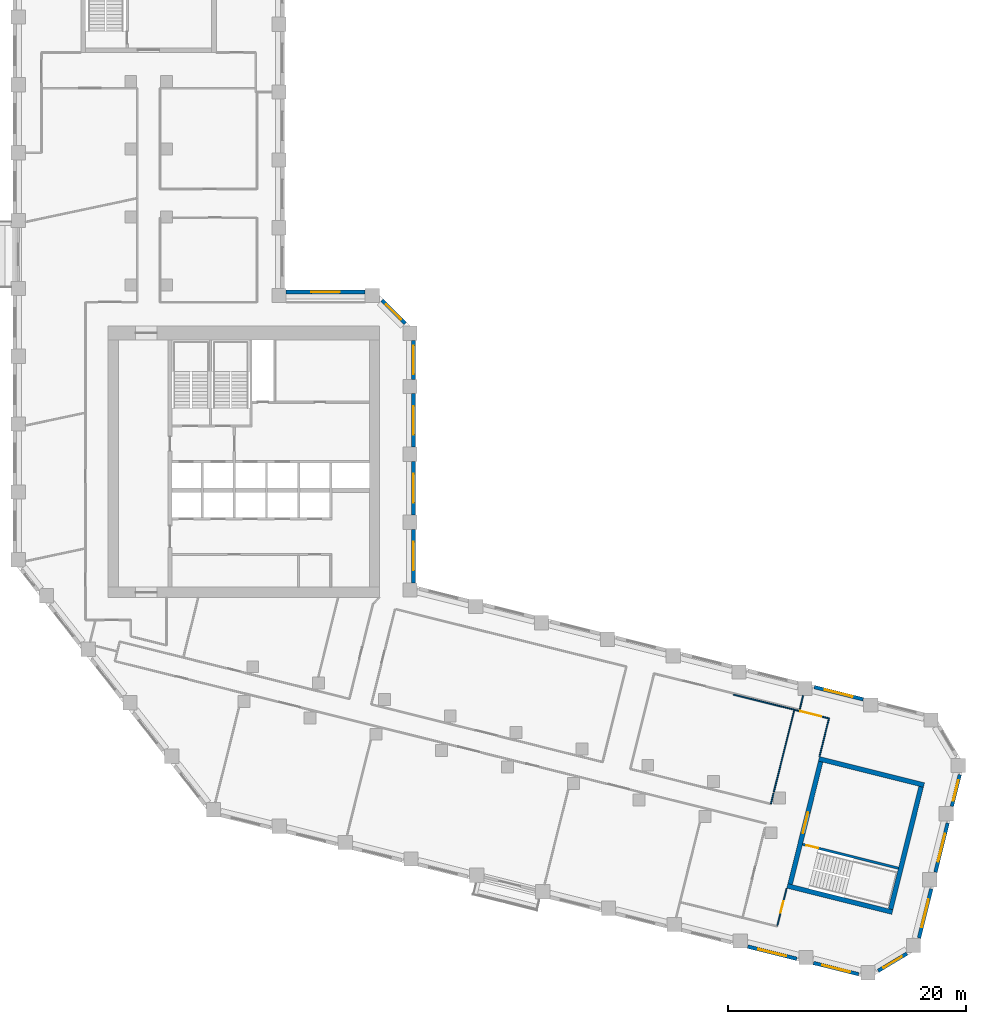
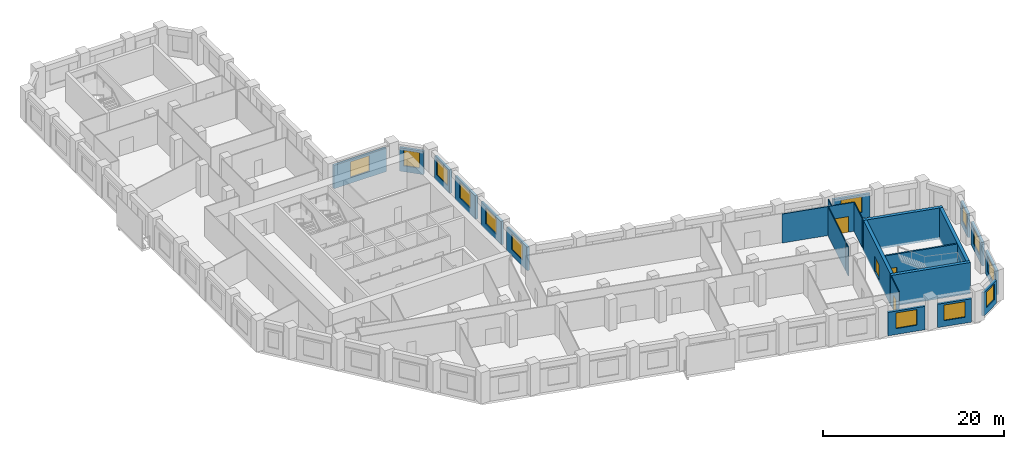
# One storey, part 6 of 10: 25 walls, 13 windows, 4 doors, 17 openings.
"""IFC4 building model written with IfcOpenShell, lengths in metres."""

from ifc_helpers import new_model, si_unit, direction, frame, frame_2d, origin, place, context, subcontext, project, spatial, rectangle, extrude, material, layer, layer_set, type_object, element, fill, save


model = new_model("IFC4")

# Units and contexts
model_context = context("Model", 3, precision=1e-05, world=origin(), true_north=direction((0.0, 1.0)))
body_context = subcontext(model_context, "Body", "Model", "MODEL_VIEW")
ifc_project = project(units=[si_unit("LENGTHUNIT", "METRE"), si_unit("AREAUNIT", "SQUARE_METRE"), si_unit("VOLUMEUNIT", "CUBIC_METRE"), si_unit("PLANEANGLEUNIT", "RADIAN"), si_unit("MASSUNIT", "GRAM", prefix="KILO")], contexts=[model_context])

# Site, building, storey
site_placement = place(None, origin())
site = spatial("IfcSite", under=ifc_project, at=site_placement, CompositionType="ELEMENT")
building_placement = place(site_placement, origin())
building = spatial("IfcBuilding", under=site, at=building_placement, Name="Meshkara Civic Tower", CompositionType="ELEMENT")
storey_placement = place(building_placement, frame((0.0, 0.0, 174.0)))
storey = spatial("IfcBuildingStorey", under=building, at=storey_placement, Name="L39", CompositionType="ELEMENT", Elevation=174.0)

# Wall
ifc_material_1 = material(Name="Corridor wall 100")
ifc_layer_1 = layer(ifc_material_1, 0.10009765625)
ifc_layer_set_1 = layer_set([ifc_layer_1], Name="Corridor wall 100")
wall_type_1 = type_object("IfcWallType", Name="Corridor wall 100", PredefinedType="PARTITIONING", material=ifc_layer_set_1)
wall_1_placement = place(storey_placement, frame((63.89501953125, -2.37109375, 0.0), z_axis=(0.0, 0.0, 1.0), x_axis=(-0.241969389514, -0.970283883478, 0.0)))
element("IfcWall", 1, at=wall_1_placement, inside=storey, type_object=wall_type_1, Name="L39-W037", PredefinedType="PARTITIONING", context=body_context, shape_type="SweptSolid", body=[
    extrude(rectangle(XDim=0.9130859375, YDim=0.10009765625, at=frame_2d((0.45654296875, 0.0))), origin(), (0.0, 0.0, 1.0), 3.89990234375),
])

# Wall, opening, door
wall_2_placement = place(storey_placement, frame((64.202880859375, -13.533935546875, 0.0), z_axis=(0.0, 0.0, 1.0), x_axis=(0.241856645367, 0.970311992656, 0.0)))
wall_2 = element("IfcWall", 2, at=wall_2_placement, inside=storey, type_object=wall_type_1, Name="L39-W038", PredefinedType="PARTITIONING", context=body_context, shape_type="SweptSolid", body=[
    extrude(rectangle(XDim=3.2998046875, YDim=0.10009765625, at=frame_2d((1.64990234375, 0.0))), origin(), (0.0, 0.0, 1.0), 3.89990234375),
])
opening_1_placement = place(wall_2_placement, frame((1.179931640625, 0.0, 0.0)))
opening_1 = element("IfcOpeningElement", 3, at=opening_1_placement, cuts=wall_2, Name="Opening L39-D002", PredefinedType="OPENING", context=body_context, shape_type="SweptSolid", body=[
    extrude(rectangle(XDim=1.0, YDim=2.10009765625, at=frame_2d((0.5, 1.050048828125))), frame((0.0, 0.06005859375, 0.0), z_axis=(0.0, -1.0, 0.0), x_axis=(1.0, 0.0, 0.0)), (0.0, 0.0, 1.0), 0.1201171875),
])
ifc_material_2 = material(Name="Door 1000 x 2100")
door_type_1 = type_object("IfcDoorType", Name="Door 1000 x 2100", OperationType="SINGLE_SWING_LEFT", PredefinedType="DOOR", material=ifc_material_2)
door_1_placement = place(opening_1_placement, origin())
door_1 = element("IfcDoor", 4, at=door_1_placement, inside=storey, type_object=door_type_1, Name="L39-D002", OperationType="SINGLE_SWING_LEFT", OverallHeight=2.10009765625, OverallWidth=1.0, PredefinedType="DOOR", context=body_context, shape_type="SweptSolid", body=[
    extrude(rectangle(XDim=1.0, YDim=2.10009765625, at=frame_2d((0.5, 1.050048828125))), frame((0.0, 0.02490234375, 0.0), z_axis=(0.0, -1.0, 0.0), x_axis=(1.0, 0.0, 0.0)), (0.0, 0.0, 1.0), 0.050048828125),
])
fill(opening_1, door_1)

# Walls
wall_3_placement = place(storey_placement, frame((65.64697265625, 4.656982421875, 0.0), z_axis=(0.0, 0.0, 1.0), x_axis=(-0.24192324031, -0.970295391001, 0.0)))
element("IfcWall", 5, at=wall_3_placement, inside=storey, type_object=wall_type_1, Name="L39-W039", PredefinedType="PARTITIONING", context=body_context, shape_type="SweptSolid", body=[
    extrude(rectangle(XDim=7.129638671875, YDim=0.10009765625, at=frame_2d((3.56494140625, 0.0))), origin(), (0.0, 0.0, 1.0), 3.89990234375),
])
wall_4_placement = place(storey_placement, frame((66.0869140625, 4.64990234375, 0.0), z_axis=(0.0, 0.0, 1.0), x_axis=(0.241275920452, 0.970456557611, 0.0)))
element("IfcWall", 6, at=wall_4_placement, inside=storey, type_object=wall_type_1, Name="L39-W040", PredefinedType="PARTITIONING", context=body_context, shape_type="SweptSolid", body=[
    extrude(rectangle(XDim=1.2314453125, YDim=0.10009765625, at=frame_2d((0.61572265625, 0.0))), origin(), (0.0, 0.0, 1.0), 3.89990234375),
])
wall_5_placement = place(storey_placement, frame((67.759033203125, 0.72900390625, 0.0), z_axis=(0.0, 0.0, 1.0), x_axis=(0.241786986316, 0.970329352977, 0.0)))
element("IfcWall", 7, at=wall_5_placement, inside=storey, type_object=wall_type_1, Name="L39-W041", PredefinedType="PARTITIONING", context=body_context, shape_type="SweptSolid", body=[
    extrude(rectangle(XDim=3.2998046875, YDim=0.10009765625, at=frame_2d((1.64990234375, 0.0))), origin(), (0.0, 0.0, 1.0), 3.89990234375),
])

# Wall, opening, door
wall_6_placement = place(storey_placement, frame((68.556884765625, 3.930908203125, 0.0), z_axis=(0.0, 0.0, 1.0), x_axis=(-0.970252534748, 0.242095061527, 0.0)))
wall_6 = element("IfcWall", 8, at=wall_6_placement, inside=storey, type_object=wall_type_1, Name="L39-W042", PredefinedType="PARTITIONING", context=body_context, shape_type="SweptSolid", body=[
    extrude(rectangle(XDim=2.9990234375, YDim=0.10009765625, at=frame_2d((1.49951171875, 0.0))), origin(), (0.0, 0.0, 1.0), 3.89990234375),
])
opening_2_placement = place(wall_6_placement, frame((0.679931640625, 0.0, 0.0)))
opening_2 = element("IfcOpeningElement", 9, at=opening_2_placement, cuts=wall_6, Name="Opening L39-D008", PredefinedType="OPENING", context=body_context, shape_type="SweptSolid", body=[
    extrude(rectangle(XDim=1.800048828125, YDim=2.10009765625, at=frame_2d((0.89990234375, 1.050048828125))), frame((0.0, 0.06005859375, 0.0), z_axis=(0.0, -1.0, 0.0), x_axis=(1.0, 0.0, 0.0)), (0.0, 0.0, 1.0), 0.1201171875),
])
ifc_material_3 = material(Name="Door pair 1800 x 2100")
door_type_2 = type_object("IfcDoorType", Name="Door pair 1800 x 2100", OperationType="SINGLE_SWING_LEFT", PredefinedType="DOOR", material=ifc_material_3)
door_2_placement = place(opening_2_placement, origin())
door_2 = element("IfcDoor", 10, at=door_2_placement, inside=storey, type_object=door_type_2, Name="L39-D008", OperationType="DOUBLE_DOOR_SINGLE_SWING", OverallHeight=2.10009765625, OverallWidth=1.800048828125, PredefinedType="DOOR", context=body_context, shape_type="SweptSolid", body=[
    extrude(rectangle(XDim=1.800048828125, YDim=2.10009765625, at=frame_2d((0.89990234375, 1.050048828125))), frame((0.0, 0.02490234375, 0.0), z_axis=(0.0, -1.0, 0.0), x_axis=(1.0, 0.0, 0.0)), (0.0, 0.0, 1.0), 0.050048828125),
])
fill(opening_2, door_2)

# Wall, opening, window
ifc_material_4 = material(Name="Insulated infill panel with bronze anodised aluminium cladding", Category="aluminium")
ifc_layer_2 = layer(ifc_material_4, 0.300048828125)
ifc_layer_set_2 = layer_set([ifc_layer_2], Name="EXTERNAL INFILL WALL 300")
wall_type_2 = type_object("IfcWallType", Name="EXTERNAL INFILL WALL 300", PredefinedType="SOLIDWALL", material=ifc_layer_set_2)
wall_7_placement = place(storey_placement, frame((71.431884765625, 5.532958984375, 0.0), z_axis=(0.0, 0.0, 1.0), x_axis=(-0.970301260502, 0.241899697951, 0.0)))
wall_7 = element("IfcWall", 11, at=wall_7_placement, inside=storey, type_object=wall_type_2, Name="External wall", PredefinedType="SOLIDWALL", context=body_context, shape_type="SweptSolid", body=[
    extrude(rectangle(XDim=4.24609375, YDim=0.300048828125, at=frame_2d((2.123046875, 0.0))), origin(), (0.0, 0.0, 1.0), 3.14990234375),
])
opening_3_placement = place(wall_7_placement, frame((0.923095703125, 0.0, 0.800048828125)))
opening_3 = element("IfcOpeningElement", 12, at=opening_3_placement, cuts=wall_7, Name="Opening W7", PredefinedType="OPENING", context=body_context, shape_type="SweptSolid", body=[
    extrude(rectangle(XDim=2.39990234375, YDim=2.10009765625, at=frame_2d((1.199951171875, 1.050048828125))), frame((0.0, 0.159912109375, 0.0), z_axis=(0.0, -1.0, 0.0), x_axis=(1.0, 0.0, 0.0)), (0.0, 0.0, 1.0), 0.320068359375),
])
ifc_material_5 = material(Name="Tinted double glazing", Category="glass")
window_type_1 = type_object("IfcWindowType", Name="WINDOW 2400x2100", PartitioningType="DOUBLE_PANEL_VERTICAL", PredefinedType="WINDOW", material=ifc_material_5)
window_1_placement = place(opening_3_placement, origin())
window_1 = element("IfcWindow", 13, at=window_1_placement, inside=storey, type_object=window_type_1, Name="Window", OverallHeight=2.10009765625, OverallWidth=2.39990234375, PartitioningType="DOUBLE_PANEL_VERTICAL", PredefinedType="WINDOW", context=body_context, shape_type="SweptSolid", body=[
    extrude(rectangle(XDim=2.39990234375, YDim=2.10009765625, at=frame_2d((1.199951171875, 1.050048828125))), frame((0.0, 0.030029296875, 0.0), z_axis=(0.0, -1.0, 0.0), x_axis=(1.0, 0.0, 0.0)), (0.0, 0.0, 1.0), 0.06005859375),
])
fill(opening_3, window_1)

wall_8_placement = place(storey_placement, frame((33.64990234375, 15.319091796875, 0.0), z_axis=(0.0, 0.0, 1.0), x_axis=(0.0, 1.0, 0.0)))
wall_8 = element("IfcWall", 14, at=wall_8_placement, inside=storey, type_object=wall_type_2, Name="External wall", PredefinedType="SOLIDWALL", context=body_context, shape_type="SweptSolid", body=[
    extrude(rectangle(XDim=4.5, YDim=0.300048828125, at=frame_2d((2.25, 0.0))), origin(), (0.0, 0.0, 1.0), 3.14990234375),
])
opening_4_placement = place(wall_8_placement, frame((1.050048828125, 0.0, 0.800048828125)))
opening_4 = element("IfcOpeningElement", 15, at=opening_4_placement, cuts=wall_8, Name="Opening W7", PredefinedType="OPENING", context=body_context, shape_type="SweptSolid", body=[
    extrude(rectangle(XDim=2.39990234375, YDim=2.10009765625, at=frame_2d((1.199951171875, 1.050048828125))), frame((0.0, 0.159912109375, 0.0), z_axis=(0.0, -1.0, 0.0), x_axis=(1.0, 0.0, 0.0)), (0.0, 0.0, 1.0), 0.320068359375),
])
window_2_placement = place(opening_4_placement, origin())
window_2 = element("IfcWindow", 16, at=window_2_placement, inside=storey, type_object=window_type_1, Name="Window", OverallHeight=2.10009765625, OverallWidth=2.39990234375, PartitioningType="DOUBLE_PANEL_VERTICAL", PredefinedType="WINDOW", context=body_context, shape_type="SweptSolid", body=[
    extrude(rectangle(XDim=2.39990234375, YDim=2.10009765625, at=frame_2d((1.199951171875, 1.050048828125))), frame((0.0, 0.030029296875, 0.0), z_axis=(0.0, -1.0, 0.0), x_axis=(1.0, 0.0, 0.0)), (0.0, 0.0, 1.0), 0.06005859375),
])
fill(opening_4, window_2)

wall_9_placement = place(storey_placement, frame((33.64990234375, 21.01904296875, 0.0), z_axis=(0.0, 0.0, 1.0), x_axis=(0.0, 1.0, 0.0)))
wall_9 = element("IfcWall", 17, at=wall_9_placement, inside=storey, type_object=wall_type_2, Name="External wall", PredefinedType="SOLIDWALL", context=body_context, shape_type="SweptSolid", body=[
    extrude(rectangle(XDim=4.5, YDim=0.300048828125, at=frame_2d((2.25, 0.0))), origin(), (0.0, 0.0, 1.0), 3.14990234375),
])
opening_5_placement = place(wall_9_placement, frame((1.050048828125, 0.0, 0.800048828125)))
opening_5 = element("IfcOpeningElement", 18, at=opening_5_placement, cuts=wall_9, Name="Opening W7", PredefinedType="OPENING", context=body_context, shape_type="SweptSolid", body=[
    extrude(rectangle(XDim=2.39990234375, YDim=2.10009765625, at=frame_2d((1.199951171875, 1.050048828125))), frame((0.0, 0.159912109375, 0.0), z_axis=(0.0, -1.0, 0.0), x_axis=(1.0, 0.0, 0.0)), (0.0, 0.0, 1.0), 0.320068359375),
])
window_3_placement = place(opening_5_placement, origin())
window_3 = element("IfcWindow", 19, at=window_3_placement, inside=storey, type_object=window_type_1, Name="Window", OverallHeight=2.10009765625, OverallWidth=2.39990234375, PartitioningType="DOUBLE_PANEL_VERTICAL", PredefinedType="WINDOW", context=body_context, shape_type="SweptSolid", body=[
    extrude(rectangle(XDim=2.39990234375, YDim=2.10009765625, at=frame_2d((1.199951171875, 1.050048828125))), frame((0.0, 0.030029296875, 0.0), z_axis=(0.0, -1.0, 0.0), x_axis=(1.0, 0.0, 0.0)), (0.0, 0.0, 1.0), 0.06005859375),
])
fill(opening_5, window_3)

wall_10_placement = place(storey_placement, frame((33.64990234375, 26.718994140625, 0.0), z_axis=(0.0, 0.0, 1.0), x_axis=(0.0, 1.0, 0.0)))
wall_10 = element("IfcWall", 20, at=wall_10_placement, inside=storey, type_object=wall_type_2, Name="External wall", PredefinedType="SOLIDWALL", context=body_context, shape_type="SweptSolid", body=[
    extrude(rectangle(XDim=4.5, YDim=0.300048828125, at=frame_2d((2.25, 0.0))), origin(), (0.0, 0.0, 1.0), 3.14990234375),
])
opening_6_placement = place(wall_10_placement, frame((1.050048828125, 0.0, 0.800048828125)))
opening_6 = element("IfcOpeningElement", 21, at=opening_6_placement, cuts=wall_10, Name="Opening W7", PredefinedType="OPENING", context=body_context, shape_type="SweptSolid", body=[
    extrude(rectangle(XDim=2.39990234375, YDim=2.10009765625, at=frame_2d((1.199951171875, 1.050048828125))), frame((0.0, 0.159912109375, 0.0), z_axis=(0.0, -1.0, 0.0), x_axis=(1.0, 0.0, 0.0)), (0.0, 0.0, 1.0), 0.320068359375),
])
window_4_placement = place(opening_6_placement, origin())
window_4 = element("IfcWindow", 22, at=window_4_placement, inside=storey, type_object=window_type_1, Name="Window", OverallHeight=2.10009765625, OverallWidth=2.39990234375, PartitioningType="DOUBLE_PANEL_VERTICAL", PredefinedType="WINDOW", context=body_context, shape_type="SweptSolid", body=[
    extrude(rectangle(XDim=2.39990234375, YDim=2.10009765625, at=frame_2d((1.199951171875, 1.050048828125))), frame((0.0, 0.030029296875, 0.0), z_axis=(0.0, -1.0, 0.0), x_axis=(1.0, 0.0, 0.0)), (0.0, 0.0, 1.0), 0.06005859375),
])
fill(opening_6, window_4)

wall_11_placement = place(storey_placement, frame((33.64990234375, 32.4189453125, 0.0), z_axis=(0.0, 0.0, 1.0), x_axis=(0.0, 1.0, 0.0)))
wall_11 = element("IfcWall", 23, at=wall_11_placement, inside=storey, type_object=wall_type_2, Name="External wall", PredefinedType="SOLIDWALL", context=body_context, shape_type="SweptSolid", body=[
    extrude(rectangle(XDim=3.275146484375, YDim=0.300048828125, at=frame_2d((1.6376953125, 0.0))), origin(), (0.0, 0.0, 1.0), 3.14990234375),
])
opening_7_placement = place(wall_11_placement, frame((0.43798828125, 0.0, 0.800048828125)))
opening_7 = element("IfcOpeningElement", 24, at=opening_7_placement, cuts=wall_11, Name="Opening W7", PredefinedType="OPENING", context=body_context, shape_type="SweptSolid", body=[
    extrude(rectangle(XDim=2.39990234375, YDim=2.10009765625, at=frame_2d((1.199951171875, 1.050048828125))), frame((0.0, 0.159912109375, 0.0), z_axis=(0.0, -1.0, 0.0), x_axis=(1.0, 0.0, 0.0)), (0.0, 0.0, 1.0), 0.320068359375),
])
window_5_placement = place(opening_7_placement, origin())
window_5 = element("IfcWindow", 25, at=window_5_placement, inside=storey, type_object=window_type_1, Name="Window", OverallHeight=2.10009765625, OverallWidth=2.39990234375, PartitioningType="DOUBLE_PANEL_VERTICAL", PredefinedType="WINDOW", context=body_context, shape_type="SweptSolid", body=[
    extrude(rectangle(XDim=2.39990234375, YDim=2.10009765625, at=frame_2d((1.199951171875, 1.050048828125))), frame((0.0, 0.030029296875, 0.0), z_axis=(0.0, -1.0, 0.0), x_axis=(1.0, 0.0, 0.0)), (0.0, 0.0, 1.0), 0.06005859375),
])
fill(opening_7, window_5)

wall_12_placement = place(storey_placement, frame((32.9619140625, 37.10595703125, 0.0), z_axis=(0.0, 0.0, 1.0), x_axis=(-0.707062649074, 0.707150910545, 0.0)))
wall_12 = element("IfcWall", 26, at=wall_12_placement, inside=storey, type_object=wall_type_2, Name="External wall", PredefinedType="SOLIDWALL", context=body_context, shape_type="SweptSolid", body=[
    extrude(rectangle(XDim=2.76611328125, YDim=0.300048828125, at=frame_2d((1.383056640625, 0.0))), origin(), (0.0, 0.0, 1.0), 3.14990234375),
])
opening_8_placement = place(wall_12_placement, frame((0.48291015625, 0.0, 0.800048828125)))
opening_8 = element("IfcOpeningElement", 27, at=opening_8_placement, cuts=wall_12, Name="Opening W9", PredefinedType="OPENING", context=body_context, shape_type="SweptSolid", body=[
    extrude(rectangle(XDim=1.800048828125, YDim=2.10009765625, at=frame_2d((0.89990234375, 1.050048828125))), frame((0.0, 0.159912109375, 0.0), z_axis=(0.0, -1.0, 0.0), x_axis=(1.0, 0.0, 0.0)), (0.0, 0.0, 1.0), 0.320068359375),
])
ifc_material_6 = material(Name="Tinted double glazing", Category="glass")
window_type_2 = type_object("IfcWindowType", Name="WINDOW 1800x2100", PartitioningType="DOUBLE_PANEL_VERTICAL", PredefinedType="WINDOW", material=ifc_material_6)
window_6_placement = place(opening_8_placement, origin())
window_6 = element("IfcWindow", 28, at=window_6_placement, inside=storey, type_object=window_type_2, Name="Window", OverallHeight=2.10009765625, OverallWidth=1.800048828125, PartitioningType="DOUBLE_PANEL_VERTICAL", PredefinedType="WINDOW", context=body_context, shape_type="SweptSolid", body=[
    extrude(rectangle(XDim=1.800048828125, YDim=2.10009765625, at=frame_2d((0.89990234375, 1.050048828125))), frame((0.0, 0.030029296875, 0.0), z_axis=(0.0, -1.0, 0.0), x_axis=(1.0, 0.0, 0.0)), (0.0, 0.0, 1.0), 0.06005859375),
])
fill(opening_8, window_6)

wall_13_placement = place(storey_placement, frame((29.593994140625, 39.75, 0.0), z_axis=(0.0, 0.0, 1.0), x_axis=(-1.0, 0.0, 0.0)))
wall_13 = element("IfcWall", 29, at=wall_13_placement, inside=storey, type_object=wall_type_2, Name="External wall", PredefinedType="SOLIDWALL", context=body_context, shape_type="SweptSolid", body=[
    extrude(rectangle(XDim=6.64404296875, YDim=0.300048828125, at=frame_2d((3.322021484375, 0.0))), origin(), (0.0, 0.0, 1.0), 3.14990234375),
])
opening_9_placement = place(wall_13_placement, frame((2.1220703125, 0.0, 0.800048828125)))
opening_9 = element("IfcOpeningElement", 30, at=opening_9_placement, cuts=wall_13, Name="Opening W7", PredefinedType="OPENING", context=body_context, shape_type="SweptSolid", body=[
    extrude(rectangle(XDim=2.39990234375, YDim=2.10009765625, at=frame_2d((1.199951171875, 1.050048828125))), frame((0.0, 0.159912109375, 0.0), z_axis=(0.0, -1.0, 0.0), x_axis=(1.0, 0.0, 0.0)), (0.0, 0.0, 1.0), 0.320068359375),
])
window_7_placement = place(opening_9_placement, origin())
window_7 = element("IfcWindow", 31, at=window_7_placement, inside=storey, type_object=window_type_1, Name="Window", OverallHeight=2.10009765625, OverallWidth=2.39990234375, PartitioningType="DOUBLE_PANEL_VERTICAL", PredefinedType="WINDOW", context=body_context, shape_type="SweptSolid", body=[
    extrude(rectangle(XDim=2.39990234375, YDim=2.10009765625, at=frame_2d((1.199951171875, 1.050048828125))), frame((0.0, 0.030029296875, 0.0), z_axis=(0.0, -1.0, 0.0), x_axis=(1.0, 0.0, 0.0)), (0.0, 0.0, 1.0), 0.06005859375),
])
fill(opening_9, window_7)

wall_14_placement = place(storey_placement, frame((61.72998046875, -15.236083984375, 0.0), z_axis=(0.0, 0.0, 1.0), x_axis=(0.970304663212, -0.241886048688, 0.0)))
wall_14 = element("IfcWall", 32, at=wall_14_placement, inside=storey, type_object=wall_type_2, Name="External wall", PredefinedType="SOLIDWALL", context=body_context, shape_type="SweptSolid", body=[
    extrude(rectangle(XDim=4.2451171875, YDim=0.300048828125, at=frame_2d((2.12255859375, 0.0))), origin(), (0.0, 0.0, 1.0), 3.14990234375),
])
opening_10_placement = place(wall_14_placement, frame((0.922119140625, 0.0, 0.800048828125)))
opening_10 = element("IfcOpeningElement", 33, at=opening_10_placement, cuts=wall_14, Name="Opening W7", PredefinedType="OPENING", context=body_context, shape_type="SweptSolid", body=[
    extrude(rectangle(XDim=2.39990234375, YDim=2.10009765625, at=frame_2d((1.199951171875, 1.050048828125))), frame((0.0, 0.159912109375, 0.0), z_axis=(0.0, -1.0, 0.0), x_axis=(1.0, 0.0, 0.0)), (0.0, 0.0, 1.0), 0.320068359375),
])
window_8_placement = place(opening_10_placement, origin())
window_8 = element("IfcWindow", 34, at=window_8_placement, inside=storey, type_object=window_type_1, Name="Window", OverallHeight=2.10009765625, OverallWidth=2.39990234375, PartitioningType="DOUBLE_PANEL_VERTICAL", PredefinedType="WINDOW", context=body_context, shape_type="SweptSolid", body=[
    extrude(rectangle(XDim=2.39990234375, YDim=2.10009765625, at=frame_2d((1.199951171875, 1.050048828125))), frame((0.0, 0.030029296875, 0.0), z_axis=(0.0, -1.0, 0.0), x_axis=(1.0, 0.0, 0.0)), (0.0, 0.0, 1.0), 0.06005859375),
])
fill(opening_10, window_8)

wall_15_placement = place(storey_placement, frame((67.260009765625, -16.614990234375, 0.0), z_axis=(0.0, 0.0, 1.0), x_axis=(0.97033344074, -0.241770580885, 0.0)))
wall_15 = element("IfcWall", 35, at=wall_15_placement, inside=storey, type_object=wall_type_2, Name="External wall", PredefinedType="SOLIDWALL", context=body_context, shape_type="SweptSolid", body=[
    extrude(rectangle(XDim=3.905029296875, YDim=0.300048828125, at=frame_2d((1.95263671875, 0.0))), origin(), (0.0, 0.0, 1.0), 3.14990234375),
])
opening_11_placement = place(wall_15_placement, frame((0.751953125, 0.0, 0.800048828125)))
opening_11 = element("IfcOpeningElement", 36, at=opening_11_placement, cuts=wall_15, Name="Opening W7", PredefinedType="OPENING", context=body_context, shape_type="SweptSolid", body=[
    extrude(rectangle(XDim=2.39990234375, YDim=2.10009765625, at=frame_2d((1.199951171875, 1.050048828125))), frame((0.0, 0.159912109375, 0.0), z_axis=(0.0, -1.0, 0.0), x_axis=(1.0, 0.0, 0.0)), (0.0, 0.0, 1.0), 0.320068359375),
])
window_9_placement = place(opening_11_placement, origin())
window_9 = element("IfcWindow", 37, at=window_9_placement, inside=storey, type_object=window_type_1, Name="Window", OverallHeight=2.10009765625, OverallWidth=2.39990234375, PartitioningType="DOUBLE_PANEL_VERTICAL", PredefinedType="WINDOW", context=body_context, shape_type="SweptSolid", body=[
    extrude(rectangle(XDim=2.39990234375, YDim=2.10009765625, at=frame_2d((1.199951171875, 1.050048828125))), frame((0.0, 0.030029296875, 0.0), z_axis=(0.0, -1.0, 0.0), x_axis=(1.0, 0.0, 0.0)), (0.0, 0.0, 1.0), 0.06005859375),
])
fill(opening_11, window_9)

wall_16_placement = place(storey_placement, frame((72.68701171875, -17.277099609375, 0.0), z_axis=(0.0, 0.0, 1.0), x_axis=(0.857309341171, 0.514801606, 0.0)))
wall_16 = element("IfcWall", 38, at=wall_16_placement, inside=storey, type_object=wall_type_2, Name="External wall", PredefinedType="SOLIDWALL", context=body_context, shape_type="SweptSolid", body=[
    extrude(rectangle(XDim=2.81689453125, YDim=0.300048828125, at=frame_2d((1.408447265625, 0.0))), origin(), (0.0, 0.0, 1.0), 3.14990234375),
])
opening_12_placement = place(wall_16_placement, frame((0.508056640625, 0.0, 0.800048828125)))
opening_12 = element("IfcOpeningElement", 39, at=opening_12_placement, cuts=wall_16, Name="Opening W9", PredefinedType="OPENING", context=body_context, shape_type="SweptSolid", body=[
    extrude(rectangle(XDim=1.800048828125, YDim=2.10009765625, at=frame_2d((0.89990234375, 1.050048828125))), frame((0.0, 0.159912109375, 0.0), z_axis=(0.0, -1.0, 0.0), x_axis=(1.0, 0.0, 0.0)), (0.0, 0.0, 1.0), 0.320068359375),
])
window_10_placement = place(opening_12_placement, origin())
window_10 = element("IfcWindow", 40, at=window_10_placement, inside=storey, type_object=window_type_2, Name="Window", OverallHeight=2.10009765625, OverallWidth=1.800048828125, PartitioningType="DOUBLE_PANEL_VERTICAL", PredefinedType="WINDOW", context=body_context, shape_type="SweptSolid", body=[
    extrude(rectangle(XDim=1.800048828125, YDim=2.10009765625, at=frame_2d((0.89990234375, 1.050048828125))), frame((0.0, 0.030029296875, 0.0), z_axis=(0.0, -1.0, 0.0), x_axis=(1.0, 0.0, 0.0)), (0.0, 0.0, 1.0), 0.06005859375),
])
fill(opening_12, window_10)

wall_17_placement = place(storey_placement, frame((76.12109375, -14.511962890625, 0.0), z_axis=(0.0, 0.0, 1.0), x_axis=(0.241845562088, 0.970314755169, 0.0)))
wall_17 = element("IfcWall", 41, at=wall_17_placement, inside=storey, type_object=wall_type_2, Name="External wall", PredefinedType="SOLIDWALL", context=body_context, shape_type="SweptSolid", body=[
    extrude(rectangle(XDim=4.245849609375, YDim=0.300048828125, at=frame_2d((2.123046875, 0.0))), origin(), (0.0, 0.0, 1.0), 3.14990234375),
])
opening_13_placement = place(wall_17_placement, frame((0.923095703125, 0.0, 0.800048828125)))
opening_13 = element("IfcOpeningElement", 42, at=opening_13_placement, cuts=wall_17, Name="Opening W7", PredefinedType="OPENING", context=body_context, shape_type="SweptSolid", body=[
    extrude(rectangle(XDim=2.39990234375, YDim=2.10009765625, at=frame_2d((1.199951171875, 1.050048828125))), frame((0.0, 0.159912109375, 0.0), z_axis=(0.0, -1.0, 0.0), x_axis=(1.0, 0.0, 0.0)), (0.0, 0.0, 1.0), 0.320068359375),
])
window_11_placement = place(opening_13_placement, origin())
window_11 = element("IfcWindow", 43, at=window_11_placement, inside=storey, type_object=window_type_1, Name="Window", OverallHeight=2.10009765625, OverallWidth=2.39990234375, PartitioningType="DOUBLE_PANEL_VERTICAL", PredefinedType="WINDOW", context=body_context, shape_type="SweptSolid", body=[
    extrude(rectangle(XDim=2.39990234375, YDim=2.10009765625, at=frame_2d((1.199951171875, 1.050048828125))), frame((0.0, 0.030029296875, 0.0), z_axis=(0.0, -1.0, 0.0), x_axis=(1.0, 0.0, 0.0)), (0.0, 0.0, 1.0), 0.06005859375),
])
fill(opening_13, window_11)

wall_18_placement = place(storey_placement, frame((77.5, -8.98095703125, 0.0), z_axis=(0.0, 0.0, 1.0), x_axis=(0.241682938765, 0.970355273655, 0.0)))
wall_18 = element("IfcWall", 44, at=wall_18_placement, inside=storey, type_object=wall_type_2, Name="External wall", PredefinedType="SOLIDWALL", context=body_context, shape_type="SweptSolid", body=[
    extrude(rectangle(XDim=4.24462890625, YDim=0.300048828125, at=frame_2d((2.122314453125, 0.0))), origin(), (0.0, 0.0, 1.0), 3.14990234375),
])
opening_14_placement = place(wall_18_placement, frame((0.922119140625, 0.0, 0.800048828125)))
opening_14 = element("IfcOpeningElement", 45, at=opening_14_placement, cuts=wall_18, Name="Opening W7", PredefinedType="OPENING", context=body_context, shape_type="SweptSolid", body=[
    extrude(rectangle(XDim=2.39990234375, YDim=2.10009765625, at=frame_2d((1.199951171875, 1.050048828125))), frame((0.0, 0.159912109375, 0.0), z_axis=(0.0, -1.0, 0.0), x_axis=(1.0, 0.0, 0.0)), (0.0, 0.0, 1.0), 0.320068359375),
])
window_12_placement = place(opening_14_placement, origin())
window_12 = element("IfcWindow", 46, at=window_12_placement, inside=storey, type_object=window_type_1, Name="Window", OverallHeight=2.10009765625, OverallWidth=2.39990234375, PartitioningType="DOUBLE_PANEL_VERTICAL", PredefinedType="WINDOW", context=body_context, shape_type="SweptSolid", body=[
    extrude(rectangle(XDim=2.39990234375, YDim=2.10009765625, at=frame_2d((1.199951171875, 1.050048828125))), frame((0.0, 0.030029296875, 0.0), z_axis=(0.0, -1.0, 0.0), x_axis=(1.0, 0.0, 0.0)), (0.0, 0.0, 1.0), 0.06005859375),
])
fill(opening_14, window_12)

wall_19_placement = place(storey_placement, frame((78.8779296875, -3.450927734375, 0.0), z_axis=(0.0, 0.0, 1.0), x_axis=(0.24190501074, 0.970299935988, 0.0)))
wall_19 = element("IfcWall", 47, at=wall_19_placement, inside=storey, type_object=wall_type_2, Name="External wall", PredefinedType="SOLIDWALL", context=body_context, shape_type="SweptSolid", body=[
    extrude(rectangle(XDim=2.73291015625, YDim=0.300048828125, at=frame_2d((1.366455078125, 0.0))), origin(), (0.0, 0.0, 1.0), 3.14990234375),
])
opening_15_placement = place(wall_19_placement, frame((0.466064453125, 0.0, 0.800048828125)))
opening_15 = element("IfcOpeningElement", 48, at=opening_15_placement, cuts=wall_19, Name="Opening W9", PredefinedType="OPENING", context=body_context, shape_type="SweptSolid", body=[
    extrude(rectangle(XDim=1.800048828125, YDim=2.10009765625, at=frame_2d((0.89990234375, 1.050048828125))), frame((0.0, 0.159912109375, 0.0), z_axis=(0.0, -1.0, 0.0), x_axis=(1.0, 0.0, 0.0)), (0.0, 0.0, 1.0), 0.320068359375),
])
window_13_placement = place(opening_15_placement, origin())
window_13 = element("IfcWindow", 49, at=window_13_placement, inside=storey, type_object=window_type_2, Name="Window", OverallHeight=2.10009765625, OverallWidth=1.800048828125, PartitioningType="DOUBLE_PANEL_VERTICAL", PredefinedType="WINDOW", context=body_context, shape_type="SweptSolid", body=[
    extrude(rectangle(XDim=1.800048828125, YDim=2.10009765625, at=frame_2d((0.89990234375, 1.050048828125))), frame((0.0, 0.030029296875, 0.0), z_axis=(0.0, -1.0, 0.0), x_axis=(1.0, 0.0, 0.0)), (0.0, 0.0, 1.0), 0.06005859375),
])
fill(opening_15, window_13)

# Walls
ifc_material_7 = material(Name="Concrete C70", Category="concrete")
ifc_layer_3 = layer(ifc_material_7, 0.39990234375)
ifc_layer_set_3 = layer_set([ifc_layer_3], Name="End core ring wall 400 C70")
wall_type_3 = type_object("IfcWallType", Name="End core ring wall 400 C70", PredefinedType="SHEAR", material=ifc_layer_set_3)
for number, where, z_axis, x_axis, name in (
    (50, (65.050048828125, -10.137939453125, -0.300048828125), (0.0, 0.0, 1.0), (0.970273354879, -0.242011604707, 0.0), "L39-C027"),
    (51, (67.7109375, 0.534912109375, -0.300048828125), (0.0, 0.0, 1.0), (0.970306418893, -0.241879005816, 0.0), "L39-C028"),
):
    element("IfcWall", number, at=place(storey_placement, frame(where, z_axis=z_axis, x_axis=x_axis)), inside=storey, type_object=wall_type_3, Name=name, PredefinedType="SHEAR", context=body_context, shape_type="SweptSolid", body=[
        extrude(rectangle(XDim=9.099365234375, YDim=0.39990234375, at=frame_2d((4.5498046875, 0.0))), origin(), (0.0, 0.0, 1.0), 4.199951171875),
    ])

# Wall, opening, door
wall_20_placement = place(storey_placement, frame((65.2919921875, -9.991943359375, -0.300048828125), z_axis=(0.0, 0.0, 1.0), x_axis=(0.241890652548, 0.970303515509, 0.0)))
wall_20 = element("IfcWall", 52, at=wall_20_placement, inside=storey, type_object=wall_type_3, Name="L39-C029", PredefinedType="SHEAR", context=body_context, shape_type="SweptSolid", body=[
    extrude(rectangle(XDim=10.599609375, YDim=0.39990234375, at=frame_2d((5.2998046875, 0.0))), origin(), (0.0, 0.0, 1.0), 4.199951171875),
])
opening_16_placement = place(wall_20_placement, frame((4.39990234375, 0.0, 0.300048828125)))
opening_16 = element("IfcOpeningElement", 53, at=opening_16_placement, cuts=wall_20, Name="Opening L39-K202", PredefinedType="OPENING", context=body_context, shape_type="SweptSolid", body=[
    extrude(rectangle(XDim=1.800048828125, YDim=2.10009765625, at=frame_2d((0.89990234375, 1.050048828125))), frame((0.0, 0.2099609375, 0.0), z_axis=(0.0, -1.0, 0.0), x_axis=(1.0, 0.0, 0.0)), (0.0, 0.0, 1.0), 0.419921875),
])
ifc_material_8 = material(Name="Fire-rated door leaf in steel frame", Category="steel")
door_type_3 = type_object("IfcDoorType", Name="Core double door 1800 EI 60", OperationType="DOUBLE_DOOR_SINGLE_SWING", PredefinedType="DOOR", material=ifc_material_8)
door_3_placement = place(opening_16_placement, origin())
door_3 = element("IfcDoor", 54, at=door_3_placement, inside=storey, type_object=door_type_3, Name="L39-K202", OperationType="DOUBLE_DOOR_SINGLE_SWING", OverallHeight=2.10009765625, OverallWidth=1.800048828125, PredefinedType="DOOR", context=body_context, shape_type="SweptSolid", body=[
    extrude(rectangle(XDim=1.800048828125, YDim=2.10009765625, at=frame_2d((0.89990234375, 1.050048828125))), frame((0.0, 0.02490234375, 0.0), z_axis=(0.0, -1.0, 0.0), x_axis=(1.0, 0.0, 0.0)), (0.0, 0.0, 1.0), 0.050048828125),
])
fill(opening_16, door_3)

# Walls
wall_21_placement = place(storey_placement, frame((73.73388671875, -12.096923828125, -0.300048828125), z_axis=(0.0, 0.0, 1.0), x_axis=(0.241912337509, 0.970298109326, 0.0)))
element("IfcWall", 55, at=wall_21_placement, inside=storey, type_object=wall_type_3, Name="L39-C030", PredefinedType="SHEAR", context=body_context, shape_type="SweptSolid", body=[
    extrude(rectangle(XDim=10.599853515625, YDim=0.39990234375, at=frame_2d((5.2998046875, 0.0))), origin(), (0.0, 0.0, 1.0), 4.199951171875),
])
ifc_material_9 = material(Name="Partition 100")
ifc_layer_4 = layer(ifc_material_9, 0.10009765625)
ifc_layer_set_4 = layer_set([ifc_layer_4], Name="Partition 100")
wall_type_4 = type_object("IfcWallType", Name="Partition 100", PredefinedType="PARTITIONING", material=ifc_layer_set_4)
wall_22_placement = place(storey_placement, frame((65.65087890625, 4.656005859375, 0.0), z_axis=(0.0, 0.0, 1.0), x_axis=(-0.970313758944, 0.241849559033, 0.0)))
element("IfcWall", 56, at=wall_22_placement, inside=storey, type_object=wall_type_4, Name="L39-W058", PredefinedType="PARTITIONING", context=body_context, shape_type="SweptSolid", body=[
    extrude(rectangle(XDim=5.275390625, YDim=0.10009765625, at=frame_2d((2.6376953125, 0.0))), origin(), (0.0, 0.0, 1.0), 3.89990234375),
])

# Wall, opening, door
ifc_material_10 = material(Name="Concrete C40/50", Category="concrete")
ifc_layer_5 = layer(ifc_material_10, 0.199951171875)
ifc_layer_set_5 = layer_set([ifc_layer_5], Name="Stair enclosure wall 200 C40/50")
wall_type_5 = type_object("IfcWallType", Name="Stair enclosure wall 200 C40/50", PredefinedType="SOLIDWALL", material=ifc_layer_set_5)
wall_23_placement = place(storey_placement, frame((66.3330078125, -6.64501953125, 0.0), z_axis=(0.0, 0.0, 1.0), x_axis=(0.970289402158, -0.241947258837, 0.0)))
wall_23 = element("IfcWall", 57, at=wall_23_placement, inside=storey, type_object=wall_type_5, Name="L39-C031", PredefinedType="SOLIDWALL", context=body_context, shape_type="SweptSolid", body=[
    extrude(rectangle(XDim=8.299560546875, YDim=0.199951171875, at=frame_2d((4.14990234375, 0.0))), origin(), (0.0, 0.0, 1.0), 3.89990234375),
])
opening_17_placement = place(wall_23_placement, frame((0.35009765625, 0.0, 0.0)))
opening_17 = element("IfcOpeningElement", 58, at=opening_17_placement, cuts=wall_23, Name="Opening L39-K201", PredefinedType="OPENING", context=body_context, shape_type="SweptSolid", body=[
    extrude(rectangle(XDim=1.0, YDim=2.10009765625, at=frame_2d((0.5, 1.050048828125))), frame((0.0, 0.10986328125, 0.0), z_axis=(0.0, -1.0, 0.0), x_axis=(1.0, 0.0, 0.0)), (0.0, 0.0, 1.0), 0.219970703125),
])
ifc_material_11 = material(Name="Fire-rated door leaf in steel frame", Category="steel")
door_type_4 = type_object("IfcDoorType", Name="Stair door 1000 EI 120", OperationType="SINGLE_SWING_LEFT", PredefinedType="DOOR", material=ifc_material_11)
door_4_placement = place(opening_17_placement, origin())
door_4 = element("IfcDoor", 59, at=door_4_placement, inside=storey, type_object=door_type_4, Name="L39-K201", OperationType="SINGLE_SWING_LEFT", OverallHeight=2.10009765625, OverallWidth=1.0, PredefinedType="DOOR", context=body_context, shape_type="SweptSolid", body=[
    extrude(rectangle(XDim=1.0, YDim=2.10009765625, at=frame_2d((0.5, 1.050048828125))), frame((0.0, 0.02490234375, 0.0), z_axis=(0.0, -1.0, 0.0), x_axis=(1.0, 0.0, 0.0)), (0.0, 0.0, 1.0), 0.050048828125),
])
fill(opening_17, door_4)

save(model, "model.ifc")
